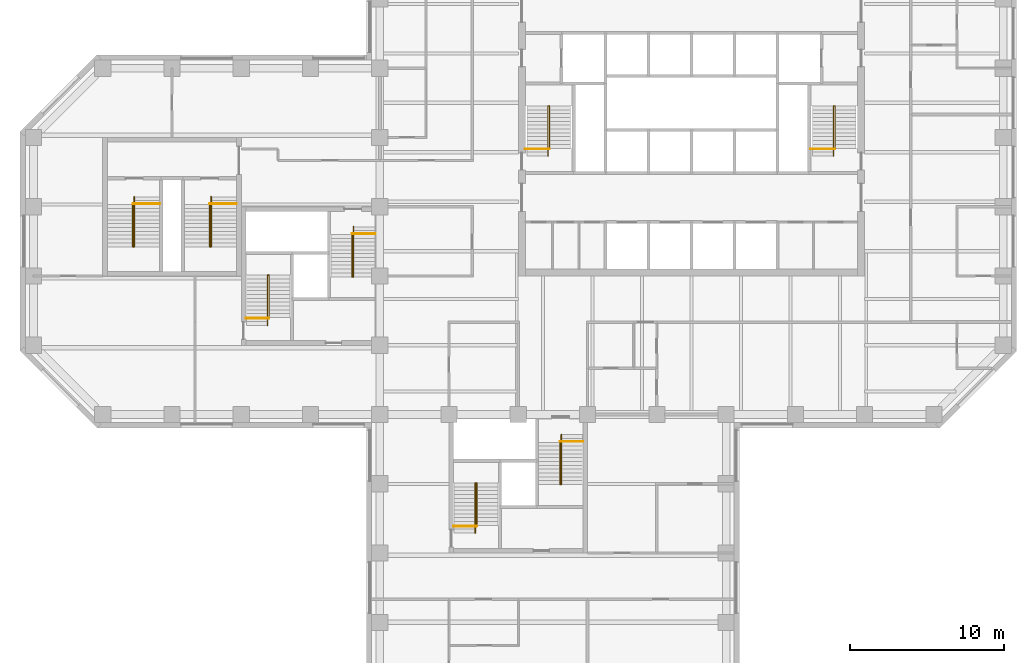
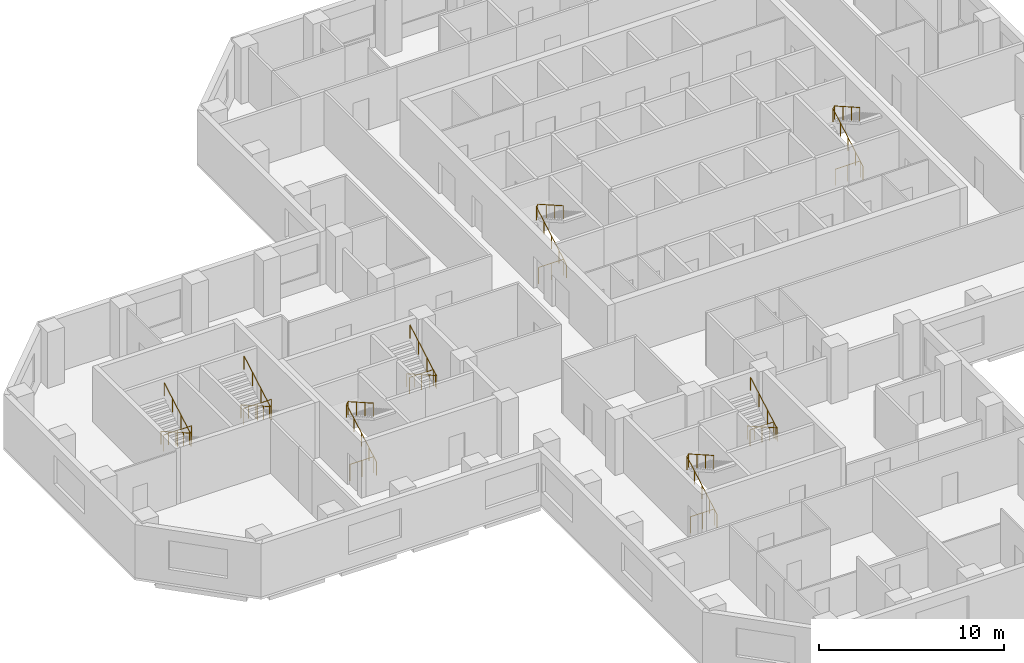
# One storey, part 11 of 11: 16 railings.
"""IFC4 building model written with IfcOpenShell, lengths in metres."""

from ifc_helpers import new_model, si_unit, direction, frame, origin, origin_2d, place, context, subcontext, project, spatial, circle, extrude, material, type_object, element, save


model = new_model("IFC4")

# Units and contexts
model_context = context("Model", 3, precision=1e-05, world=origin(), true_north=direction((0.0, 1.0)))
body_context = subcontext(model_context, "Body", "Model", "MODEL_VIEW")
ifc_project = project(units=[si_unit("LENGTHUNIT", "METRE"), si_unit("AREAUNIT", "SQUARE_METRE"), si_unit("VOLUMEUNIT", "CUBIC_METRE"), si_unit("PLANEANGLEUNIT", "RADIAN"), si_unit("MASSUNIT", "GRAM", prefix="KILO")], contexts=[model_context])

# Site, building, storey
site_placement = place(None, origin())
site = spatial("IfcSite", under=ifc_project, at=site_placement, CompositionType="ELEMENT")
building_placement = place(site_placement, origin())
building = spatial("IfcBuilding", under=site, at=building_placement, Name="Quoin Convention Tower", CompositionType="ELEMENT")
storey_placement = place(building_placement, frame((0.0, 0.0, 119.60009765625)))
storey = spatial("IfcBuildingStorey", under=building, at=storey_placement, Name="L31", CompositionType="ELEMENT", Elevation=119.60009765625)

# Railings
ifc_material = material(Name="Stainless steel", Category="steel")
railing_type_1 = type_object("IfcRailingType", Name="Stair handrail 900", PredefinedType="HANDRAIL", material=ifc_material)
railing_1_placement = place(storey_placement, frame((46.929931640625, 57.300048828125, 0.14208984375)))
element("IfcRailing", 1, at=railing_1_placement, inside=storey, type_object=railing_type_1, Name="SD1 handrail 1", PredefinedType="HANDRAIL", context=body_context, shape_type="SweptSolid", body=[
    extrude(circle(Radius=0.02392578125, at=origin_2d()), frame((0.0, 0.0, 0.8759765625), z_axis=(0.0, 0.869053504361, 0.494718108177), x_axis=(-1.0, 0.0, 0.0)), (0.0, 0.0, 1.0), 3.73974609375),
    extrude(circle(Radius=0.02392578125, at=origin_2d()), frame((0.0, 3.25, 2.72607421875), z_axis=(0.53481069233, 0.0, 0.844971906852), x_axis=(0.0, 1.0, 0.0)), (0.0, 0.0, 1.0), 0.16845703125),
    extrude(circle(Radius=0.02392578125, at=origin_2d()), frame((0.090087890625, 3.25, 2.8681640625), z_axis=(0.0, -0.869058607571, 0.494709143443), x_axis=(1.0, 0.0, 0.0)), (0.0, 0.0, 1.0), 3.164306640625),
    extrude(circle(Radius=0.02099609375, at=origin_2d()), origin(), (0.0, 0.0, 1.0), 0.851806640625),
    extrude(circle(Radius=0.02099609375, at=origin_2d()), frame((0.0, 0.8125, 0.46240234375)), (0.0, 0.0, 1.0), 0.851806640625),
    extrude(circle(Radius=0.02099609375, at=origin_2d()), frame((0.0, 1.625, 0.925048828125)), (0.0, 0.0, 1.0), 0.851806640625),
    extrude(circle(Radius=0.02099609375, at=origin_2d()), frame((0.0, 2.4375, 1.3876953125)), (0.0, 0.0, 1.0), 0.851806640625),
    extrude(circle(Radius=0.02099609375, at=origin_2d()), frame((0.0, 3.25, 1.85009765625)), (0.0, 0.0, 1.0), 0.851806640625),
    extrude(circle(Radius=0.02099609375, at=origin_2d()), frame((0.090087890625, 3.25, 1.992431640625)), (0.0, 0.0, 1.0), 0.851806640625),
    extrude(circle(Radius=0.02099609375, at=origin_2d()), frame((0.090087890625, 2.333251953125, 2.51416015625)), (0.0, 0.0, 1.0), 0.851806640625),
    extrude(circle(Radius=0.02099609375, at=origin_2d()), frame((0.090087890625, 1.416748046875, 3.0361328125)), (0.0, 0.0, 1.0), 0.851806640625),
    extrude(circle(Radius=0.02099609375, at=origin_2d()), frame((0.090087890625, 0.5, 3.557861328125)), (0.0, 0.0, 1.0), 0.851806640625),
])
railing_2_placement = place(storey_placement, frame((65.47998046875, 57.300048828125, 0.14208984375)))
element("IfcRailing", 2, at=railing_2_placement, inside=storey, type_object=railing_type_1, Name="SD2 handrail 1", PredefinedType="HANDRAIL", context=body_context, shape_type="SweptSolid", body=[
    extrude(circle(Radius=0.02392578125, at=origin_2d()), frame((0.0, 0.0, 0.8759765625), z_axis=(0.0, 0.869053504361, 0.494718108177), x_axis=(-1.0, 0.0, 0.0)), (0.0, 0.0, 1.0), 3.73974609375),
    extrude(circle(Radius=0.02392578125, at=origin_2d()), frame((0.0, 3.25, 2.72607421875), z_axis=(0.53481069233, 0.0, 0.844971906852), x_axis=(0.0, 1.0, 0.0)), (0.0, 0.0, 1.0), 0.16845703125),
    extrude(circle(Radius=0.02392578125, at=origin_2d()), frame((0.090087890625, 3.25, 2.8681640625), z_axis=(0.0, -0.869058607571, 0.494709143443), x_axis=(1.0, 0.0, 0.0)), (0.0, 0.0, 1.0), 3.164306640625),
    extrude(circle(Radius=0.02099609375, at=origin_2d()), origin(), (0.0, 0.0, 1.0), 0.851806640625),
    extrude(circle(Radius=0.02099609375, at=origin_2d()), frame((0.0, 0.8125, 0.46240234375)), (0.0, 0.0, 1.0), 0.851806640625),
    extrude(circle(Radius=0.02099609375, at=origin_2d()), frame((0.0, 1.625, 0.925048828125)), (0.0, 0.0, 1.0), 0.851806640625),
    extrude(circle(Radius=0.02099609375, at=origin_2d()), frame((0.0, 2.4375, 1.3876953125)), (0.0, 0.0, 1.0), 0.851806640625),
    extrude(circle(Radius=0.02099609375, at=origin_2d()), frame((0.0, 3.25, 1.85009765625)), (0.0, 0.0, 1.0), 0.851806640625),
    extrude(circle(Radius=0.02099609375, at=origin_2d()), frame((0.090087890625, 3.25, 1.992431640625)), (0.0, 0.0, 1.0), 0.851806640625),
    extrude(circle(Radius=0.02099609375, at=origin_2d()), frame((0.090087890625, 2.333251953125, 2.51416015625)), (0.0, 0.0, 1.0), 0.851806640625),
    extrude(circle(Radius=0.02099609375, at=origin_2d()), frame((0.090087890625, 1.416748046875, 3.0361328125)), (0.0, 0.0, 1.0), 0.851806640625),
    extrude(circle(Radius=0.02099609375, at=origin_2d()), frame((0.090087890625, 0.5, 3.557861328125)), (0.0, 0.0, 1.0), 0.851806640625),
])
railing_3_placement = place(storey_placement, frame((28.705078125, 46.300048828125, 0.14208984375)))
element("IfcRailing", 3, at=railing_3_placement, inside=storey, type_object=railing_type_1, Name="SD3 handrail 1", PredefinedType="HANDRAIL", context=body_context, shape_type="SweptSolid", body=[
    extrude(circle(Radius=0.02392578125, at=origin_2d()), frame((0.0, 0.0, 0.8759765625), z_axis=(0.0, 0.869053504361, 0.494718108177), x_axis=(-1.0, 0.0, 0.0)), (0.0, 0.0, 1.0), 3.73974609375),
    extrude(circle(Radius=0.02392578125, at=origin_2d()), frame((0.0, 3.25, 2.72607421875), z_axis=(0.533774684331, 0.0, 0.845626741753), x_axis=(0.0, 1.0, 0.0)), (0.0, 0.0, 1.0), 0.168212890625),
    extrude(circle(Radius=0.02392578125, at=origin_2d()), frame((0.08984375, 3.25, 2.8681640625), z_axis=(0.0, -0.869058607571, 0.494709143443), x_axis=(1.0, 0.0, 0.0)), (0.0, 0.0, 1.0), 3.164306640625),
    extrude(circle(Radius=0.02099609375, at=origin_2d()), origin(), (0.0, 0.0, 1.0), 0.851806640625),
    extrude(circle(Radius=0.02099609375, at=origin_2d()), frame((0.0, 0.8125, 0.46240234375)), (0.0, 0.0, 1.0), 0.851806640625),
    extrude(circle(Radius=0.02099609375, at=origin_2d()), frame((0.0, 1.625, 0.925048828125)), (0.0, 0.0, 1.0), 0.851806640625),
    extrude(circle(Radius=0.02099609375, at=origin_2d()), frame((0.0, 2.4375, 1.3876953125)), (0.0, 0.0, 1.0), 0.851806640625),
    extrude(circle(Radius=0.02099609375, at=origin_2d()), frame((0.0, 3.25, 1.85009765625)), (0.0, 0.0, 1.0), 0.851806640625),
    extrude(circle(Radius=0.02099609375, at=origin_2d()), frame((0.08984375, 3.25, 1.992431640625)), (0.0, 0.0, 1.0), 0.851806640625),
    extrude(circle(Radius=0.02099609375, at=origin_2d()), frame((0.08984375, 2.333251953125, 2.51416015625)), (0.0, 0.0, 1.0), 0.851806640625),
    extrude(circle(Radius=0.02099609375, at=origin_2d()), frame((0.08984375, 1.416748046875, 3.0361328125)), (0.0, 0.0, 1.0), 0.851806640625),
    extrude(circle(Radius=0.02099609375, at=origin_2d()), frame((0.08984375, 0.5, 3.557861328125)), (0.0, 0.0, 1.0), 0.851806640625),
])
railing_4_placement = place(storey_placement, frame((34.294921875, 52.699951171875, 0.14208984375)))
element("IfcRailing", 4, at=railing_4_placement, inside=storey, type_object=railing_type_1, Name="SD4 handrail 1", PredefinedType="HANDRAIL", context=body_context, shape_type="SweptSolid", body=[
    extrude(circle(Radius=0.02392578125, at=origin_2d()), frame((0.0, 0.0, 0.8759765625), z_axis=(0.0, -0.869053504361, 0.494718108177), x_axis=(1.0, 0.0, 0.0)), (0.0, 0.0, 1.0), 3.73974609375),
    extrude(circle(Radius=0.02392578125, at=origin_2d()), frame((0.0, -3.25, 2.72607421875), z_axis=(-0.533774684331, 0.0, 0.845626741753), x_axis=(0.0, -1.0, 0.0)), (0.0, 0.0, 1.0), 0.168212890625),
    extrude(circle(Radius=0.02392578125, at=origin_2d()), frame((-0.08984375, -3.25, 2.8681640625), z_axis=(0.0, 0.869058607571, 0.494709143443), x_axis=(-1.0, 0.0, 0.0)), (0.0, 0.0, 1.0), 3.164306640625),
    extrude(circle(Radius=0.02099609375, at=origin_2d()), origin(), (0.0, 0.0, 1.0), 0.851806640625),
    extrude(circle(Radius=0.02099609375, at=origin_2d()), frame((0.0, -0.8125, 0.46240234375)), (0.0, 0.0, 1.0), 0.851806640625),
    extrude(circle(Radius=0.02099609375, at=origin_2d()), frame((0.0, -1.625, 0.925048828125)), (0.0, 0.0, 1.0), 0.851806640625),
    extrude(circle(Radius=0.02099609375, at=origin_2d()), frame((0.0, -2.4375, 1.3876953125)), (0.0, 0.0, 1.0), 0.851806640625),
    extrude(circle(Radius=0.02099609375, at=origin_2d()), frame((0.0, -3.25, 1.85009765625)), (0.0, 0.0, 1.0), 0.851806640625),
    extrude(circle(Radius=0.02099609375, at=origin_2d()), frame((-0.08984375, -3.25, 1.992431640625)), (0.0, 0.0, 1.0), 0.851806640625),
    extrude(circle(Radius=0.02099609375, at=origin_2d()), frame((-0.08984375, -2.333251953125, 2.51416015625)), (0.0, 0.0, 1.0), 0.851806640625),
    extrude(circle(Radius=0.02099609375, at=origin_2d()), frame((-0.08984375, -1.416748046875, 3.0361328125)), (0.0, 0.0, 1.0), 0.851806640625),
    extrude(circle(Radius=0.02099609375, at=origin_2d()), frame((-0.08984375, -0.5, 3.557861328125)), (0.0, 0.0, 1.0), 0.851806640625),
])
railing_5_placement = place(storey_placement, frame((42.205078125, 32.800048828125, 0.14208984375)))
element("IfcRailing", 5, at=railing_5_placement, inside=storey, type_object=railing_type_1, Name="SD5 handrail 1", PredefinedType="HANDRAIL", context=body_context, shape_type="SweptSolid", body=[
    extrude(circle(Radius=0.02392578125, at=origin_2d()), frame((0.0, 0.0, 0.8759765625), z_axis=(0.0, 0.869053504361, 0.494718108177), x_axis=(-1.0, 0.0, 0.0)), (0.0, 0.0, 1.0), 3.73974609375),
    extrude(circle(Radius=0.02392578125, at=origin_2d()), frame((0.0, 3.25, 2.72607421875), z_axis=(0.533774684331, 0.0, 0.845626741753), x_axis=(0.0, 1.0, 0.0)), (0.0, 0.0, 1.0), 0.168212890625),
    extrude(circle(Radius=0.02392578125, at=origin_2d()), frame((0.08984375, 3.25, 2.8681640625), z_axis=(0.0, -0.869058607571, 0.494709143443), x_axis=(1.0, 0.0, 0.0)), (0.0, 0.0, 1.0), 3.164306640625),
    extrude(circle(Radius=0.02099609375, at=origin_2d()), origin(), (0.0, 0.0, 1.0), 0.851806640625),
    extrude(circle(Radius=0.02099609375, at=origin_2d()), frame((0.0, 0.8125, 0.46240234375)), (0.0, 0.0, 1.0), 0.851806640625),
    extrude(circle(Radius=0.02099609375, at=origin_2d()), frame((0.0, 1.625, 0.925048828125)), (0.0, 0.0, 1.0), 0.851806640625),
    extrude(circle(Radius=0.02099609375, at=origin_2d()), frame((0.0, 2.4375, 1.3876953125)), (0.0, 0.0, 1.0), 0.851806640625),
    extrude(circle(Radius=0.02099609375, at=origin_2d()), frame((0.0, 3.25, 1.85009765625)), (0.0, 0.0, 1.0), 0.851806640625),
    extrude(circle(Radius=0.02099609375, at=origin_2d()), frame((0.08984375, 3.25, 1.992431640625)), (0.0, 0.0, 1.0), 0.851806640625),
    extrude(circle(Radius=0.02099609375, at=origin_2d()), frame((0.08984375, 2.333251953125, 2.51416015625)), (0.0, 0.0, 1.0), 0.851806640625),
    extrude(circle(Radius=0.02099609375, at=origin_2d()), frame((0.08984375, 1.416748046875, 3.0361328125)), (0.0, 0.0, 1.0), 0.851806640625),
    extrude(circle(Radius=0.02099609375, at=origin_2d()), frame((0.08984375, 0.5, 3.557861328125)), (0.0, 0.0, 1.0), 0.851806640625),
])
railing_6_placement = place(storey_placement, frame((47.794921875, 39.199951171875, 0.14208984375)))
element("IfcRailing", 6, at=railing_6_placement, inside=storey, type_object=railing_type_1, Name="SD6 handrail 1", PredefinedType="HANDRAIL", context=body_context, shape_type="SweptSolid", body=[
    extrude(circle(Radius=0.02392578125, at=origin_2d()), frame((0.0, 0.0, 0.8759765625), z_axis=(0.0, -0.869053504361, 0.494718108177), x_axis=(1.0, 0.0, 0.0)), (0.0, 0.0, 1.0), 3.73974609375),
    extrude(circle(Radius=0.02392578125, at=origin_2d()), frame((0.0, -3.25, 2.72607421875), z_axis=(-0.533774684331, 0.0, 0.845626741753), x_axis=(0.0, -1.0, 0.0)), (0.0, 0.0, 1.0), 0.168212890625),
    extrude(circle(Radius=0.02392578125, at=origin_2d()), frame((-0.08984375, -3.25, 2.8681640625), z_axis=(0.0, 0.869058607571, 0.494709143443), x_axis=(-1.0, 0.0, 0.0)), (0.0, 0.0, 1.0), 3.164306640625),
    extrude(circle(Radius=0.02099609375, at=origin_2d()), origin(), (0.0, 0.0, 1.0), 0.851806640625),
    extrude(circle(Radius=0.02099609375, at=origin_2d()), frame((0.0, -0.8125, 0.46240234375)), (0.0, 0.0, 1.0), 0.851806640625),
    extrude(circle(Radius=0.02099609375, at=origin_2d()), frame((0.0, -1.625, 0.925048828125)), (0.0, 0.0, 1.0), 0.851806640625),
    extrude(circle(Radius=0.02099609375, at=origin_2d()), frame((0.0, -2.4375, 1.3876953125)), (0.0, 0.0, 1.0), 0.851806640625),
    extrude(circle(Radius=0.02099609375, at=origin_2d()), frame((0.0, -3.25, 1.85009765625)), (0.0, 0.0, 1.0), 0.851806640625),
    extrude(circle(Radius=0.02099609375, at=origin_2d()), frame((-0.08984375, -3.25, 1.992431640625)), (0.0, 0.0, 1.0), 0.851806640625),
    extrude(circle(Radius=0.02099609375, at=origin_2d()), frame((-0.08984375, -2.333251953125, 2.51416015625)), (0.0, 0.0, 1.0), 0.851806640625),
    extrude(circle(Radius=0.02099609375, at=origin_2d()), frame((-0.08984375, -1.416748046875, 3.0361328125)), (0.0, 0.0, 1.0), 0.851806640625),
    extrude(circle(Radius=0.02099609375, at=origin_2d()), frame((-0.08984375, -0.5, 3.557861328125)), (0.0, 0.0, 1.0), 0.851806640625),
])
railing_7_placement = place(storey_placement, frame((20.044921875, 54.64990234375, 0.14208984375)))
element("IfcRailing", 7, at=railing_7_placement, inside=storey, type_object=railing_type_1, Name="SD11 handrail 1", PredefinedType="HANDRAIL", context=body_context, shape_type="SweptSolid", body=[
    extrude(circle(Radius=0.02392578125, at=origin_2d()), frame((0.0, 0.0, 0.8759765625), z_axis=(0.0, -0.869053504361, 0.494718108177), x_axis=(1.0, 0.0, 0.0)), (0.0, 0.0, 1.0), 3.73974609375),
    extrude(circle(Radius=0.02392578125, at=origin_2d()), frame((0.0, -3.25, 2.72607421875), z_axis=(-0.533774684331, 0.0, 0.845626741753), x_axis=(0.0, -1.0, 0.0)), (0.0, 0.0, 1.0), 0.168212890625),
    extrude(circle(Radius=0.02392578125, at=origin_2d()), frame((-0.08984375, -3.25, 2.8681640625), z_axis=(0.0, 0.869058607571, 0.494709143443), x_axis=(-1.0, 0.0, 0.0)), (0.0, 0.0, 1.0), 3.164306640625),
    extrude(circle(Radius=0.02099609375, at=origin_2d()), origin(), (0.0, 0.0, 1.0), 0.851806640625),
    extrude(circle(Radius=0.02099609375, at=origin_2d()), frame((0.0, -0.8125, 0.46240234375)), (0.0, 0.0, 1.0), 0.851806640625),
    extrude(circle(Radius=0.02099609375, at=origin_2d()), frame((0.0, -1.625, 0.925048828125)), (0.0, 0.0, 1.0), 0.851806640625),
    extrude(circle(Radius=0.02099609375, at=origin_2d()), frame((0.0, -2.4375, 1.3876953125)), (0.0, 0.0, 1.0), 0.851806640625),
    extrude(circle(Radius=0.02099609375, at=origin_2d()), frame((0.0, -3.25, 1.85009765625)), (0.0, 0.0, 1.0), 0.851806640625),
    extrude(circle(Radius=0.02099609375, at=origin_2d()), frame((-0.08984375, -3.25, 1.992431640625)), (0.0, 0.0, 1.0), 0.851806640625),
    extrude(circle(Radius=0.02099609375, at=origin_2d()), frame((-0.08984375, -2.333251953125, 2.51416015625)), (0.0, 0.0, 1.0), 0.851806640625),
    extrude(circle(Radius=0.02099609375, at=origin_2d()), frame((-0.08984375, -1.416748046875, 3.0361328125)), (0.0, 0.0, 1.0), 0.851806640625),
    extrude(circle(Radius=0.02099609375, at=origin_2d()), frame((-0.08984375, -0.5, 3.557861328125)), (0.0, 0.0, 1.0), 0.851806640625),
])
railing_8_placement = place(storey_placement, frame((25.044921875, 54.64990234375, 0.14208984375)))
element("IfcRailing", 8, at=railing_8_placement, inside=storey, type_object=railing_type_1, Name="SD12 handrail 1", PredefinedType="HANDRAIL", context=body_context, shape_type="SweptSolid", body=[
    extrude(circle(Radius=0.02392578125, at=origin_2d()), frame((0.0, 0.0, 0.8759765625), z_axis=(0.0, -0.869053504361, 0.494718108177), x_axis=(1.0, 0.0, 0.0)), (0.0, 0.0, 1.0), 3.73974609375),
    extrude(circle(Radius=0.02392578125, at=origin_2d()), frame((0.0, -3.25, 2.72607421875), z_axis=(-0.533774684331, 0.0, 0.845626741753), x_axis=(0.0, -1.0, 0.0)), (0.0, 0.0, 1.0), 0.168212890625),
    extrude(circle(Radius=0.02392578125, at=origin_2d()), frame((-0.08984375, -3.25, 2.8681640625), z_axis=(0.0, 0.869058607571, 0.494709143443), x_axis=(-1.0, 0.0, 0.0)), (0.0, 0.0, 1.0), 3.164306640625),
    extrude(circle(Radius=0.02099609375, at=origin_2d()), origin(), (0.0, 0.0, 1.0), 0.851806640625),
    extrude(circle(Radius=0.02099609375, at=origin_2d()), frame((0.0, -0.8125, 0.46240234375)), (0.0, 0.0, 1.0), 0.851806640625),
    extrude(circle(Radius=0.02099609375, at=origin_2d()), frame((0.0, -1.625, 0.925048828125)), (0.0, 0.0, 1.0), 0.851806640625),
    extrude(circle(Radius=0.02099609375, at=origin_2d()), frame((0.0, -2.4375, 1.3876953125)), (0.0, 0.0, 1.0), 0.851806640625),
    extrude(circle(Radius=0.02099609375, at=origin_2d()), frame((0.0, -3.25, 1.85009765625)), (0.0, 0.0, 1.0), 0.851806640625),
    extrude(circle(Radius=0.02099609375, at=origin_2d()), frame((-0.08984375, -3.25, 1.992431640625)), (0.0, 0.0, 1.0), 0.851806640625),
    extrude(circle(Radius=0.02099609375, at=origin_2d()), frame((-0.08984375, -2.333251953125, 2.51416015625)), (0.0, 0.0, 1.0), 0.851806640625),
    extrude(circle(Radius=0.02099609375, at=origin_2d()), frame((-0.08984375, -1.416748046875, 3.0361328125)), (0.0, 0.0, 1.0), 0.851806640625),
    extrude(circle(Radius=0.02099609375, at=origin_2d()), frame((-0.08984375, -0.5, 3.557861328125)), (0.0, 0.0, 1.0), 0.851806640625),
])
railing_type_2 = type_object("IfcRailingType", Name="Stair top guard 1100", PredefinedType="GUARDRAIL", material=ifc_material)
for number, where, name in (
    (9, (45.449951171875, 57.75, 0.0), "SD1 top guard"),
    (10, (64.0, 57.75, 0.0), "SD2 top guard"),
):
    element("IfcRailing", number, at=place(storey_placement, frame(where)), inside=storey, type_object=railing_type_2, Name=name, PredefinedType="GUARDRAIL", context=body_context, shape_type="SweptSolid", body=[
        extrude(circle(Radius=0.02392578125, at=origin_2d()), frame((0.0, 0.0, 1.076171875), z_axis=(1.0, 0.0, 0.0), x_axis=(0.0, 1.0, 0.0)), (0.0, 0.0, 1.0), 1.570068359375),
        extrude(circle(Radius=0.02099609375, at=origin_2d()), origin(), (0.0, 0.0, 1.0), 1.052001953125),
        extrude(circle(Radius=0.02099609375, at=origin_2d()), frame((0.78515625, 0.0, 0.0)), (0.0, 0.0, 1.0), 1.052001953125),
        extrude(circle(Radius=0.02099609375, at=origin_2d()), frame((1.570068359375, 0.0, 0.0)), (0.0, 0.0, 1.0), 1.052001953125),
    ])
railing_9_placement = place(storey_placement, frame((27.300048828125, 46.75, 0.0)))
element("IfcRailing", 11, at=railing_9_placement, inside=storey, type_object=railing_type_2, Name="SD3 top guard", PredefinedType="GUARDRAIL", context=body_context, shape_type="SweptSolid", body=[
    extrude(circle(Radius=0.02392578125, at=origin_2d()), frame((0.0, 0.0, 1.076171875), z_axis=(1.0, 0.0, 0.0), x_axis=(0.0, 1.0, 0.0)), (0.0, 0.0, 1.0), 1.494873046875),
    extrude(circle(Radius=0.02099609375, at=origin_2d()), origin(), (0.0, 0.0, 1.0), 1.052001953125),
    extrude(circle(Radius=0.02099609375, at=origin_2d()), frame((0.74755859375, 0.0, 0.0)), (0.0, 0.0, 1.0), 1.052001953125),
    extrude(circle(Radius=0.02099609375, at=origin_2d()), frame((1.494873046875, 0.0, 0.0)), (0.0, 0.0, 1.0), 1.052001953125),
])
railing_10_placement = place(storey_placement, frame((35.699951171875, 52.25, 0.0)))
element("IfcRailing", 12, at=railing_10_placement, inside=storey, type_object=railing_type_2, Name="SD4 top guard", PredefinedType="GUARDRAIL", context=body_context, shape_type="SweptSolid", body=[
    extrude(circle(Radius=0.02392578125, at=origin_2d()), frame((0.0, 0.0, 1.076171875), z_axis=(-1.0, 0.0, 0.0), x_axis=(0.0, -1.0, 0.0)), (0.0, 0.0, 1.0), 1.494873046875),
    extrude(circle(Radius=0.02099609375, at=origin_2d()), origin(), (0.0, 0.0, 1.0), 1.052001953125),
    extrude(circle(Radius=0.02099609375, at=origin_2d()), frame((-0.74755859375, 0.0, 0.0)), (0.0, 0.0, 1.0), 1.052001953125),
    extrude(circle(Radius=0.02099609375, at=origin_2d()), frame((-1.494873046875, 0.0, 0.0)), (0.0, 0.0, 1.0), 1.052001953125),
])
railing_11_placement = place(storey_placement, frame((40.800048828125, 33.25, 0.0)))
element("IfcRailing", 13, at=railing_11_placement, inside=storey, type_object=railing_type_2, Name="SD5 top guard", PredefinedType="GUARDRAIL", context=body_context, shape_type="SweptSolid", body=[
    extrude(circle(Radius=0.02392578125, at=origin_2d()), frame((0.0, 0.0, 1.076171875), z_axis=(1.0, 0.0, 0.0), x_axis=(0.0, 1.0, 0.0)), (0.0, 0.0, 1.0), 1.494873046875),
    extrude(circle(Radius=0.02099609375, at=origin_2d()), origin(), (0.0, 0.0, 1.0), 1.052001953125),
    extrude(circle(Radius=0.02099609375, at=origin_2d()), frame((0.74755859375, 0.0, 0.0)), (0.0, 0.0, 1.0), 1.052001953125),
    extrude(circle(Radius=0.02099609375, at=origin_2d()), frame((1.494873046875, 0.0, 0.0)), (0.0, 0.0, 1.0), 1.052001953125),
])
railing_12_placement = place(storey_placement, frame((49.199951171875, 38.75, 0.0)))
element("IfcRailing", 14, at=railing_12_placement, inside=storey, type_object=railing_type_2, Name="SD6 top guard", PredefinedType="GUARDRAIL", context=body_context, shape_type="SweptSolid", body=[
    extrude(circle(Radius=0.02392578125, at=origin_2d()), frame((0.0, 0.0, 1.076171875), z_axis=(-1.0, 0.0, 0.0), x_axis=(0.0, -1.0, 0.0)), (0.0, 0.0, 1.0), 1.494873046875),
    extrude(circle(Radius=0.02099609375, at=origin_2d()), origin(), (0.0, 0.0, 1.0), 1.052001953125),
    extrude(circle(Radius=0.02099609375, at=origin_2d()), frame((-0.74755859375, 0.0, 0.0)), (0.0, 0.0, 1.0), 1.052001953125),
    extrude(circle(Radius=0.02099609375, at=origin_2d()), frame((-1.494873046875, 0.0, 0.0)), (0.0, 0.0, 1.0), 1.052001953125),
])
for number, where, name in (
    (15, (21.699951171875, 54.199951171875, 0.0), "SD11 top guard"),
    (16, (26.699951171875, 54.199951171875, 0.0), "SD12 top guard"),
):
    element("IfcRailing", number, at=place(storey_placement, frame(where)), inside=storey, type_object=railing_type_2, Name=name, PredefinedType="GUARDRAIL", context=body_context, shape_type="SweptSolid", body=[
        extrude(circle(Radius=0.02392578125, at=origin_2d()), frame((0.0, 0.0, 1.076171875), z_axis=(-1.0, 0.0, 0.0), x_axis=(0.0, -1.0, 0.0)), (0.0, 0.0, 1.0), 1.744873046875),
        extrude(circle(Radius=0.02099609375, at=origin_2d()), origin(), (0.0, 0.0, 1.0), 1.052001953125),
        extrude(circle(Radius=0.02099609375, at=origin_2d()), frame((-0.87255859375, 0.0, 0.0)), (0.0, 0.0, 1.0), 1.052001953125),
        extrude(circle(Radius=0.02099609375, at=origin_2d()), frame((-1.744873046875, 0.0, 0.0)), (0.0, 0.0, 1.0), 1.052001953125),
    ])

save(model, "model.ifc")
